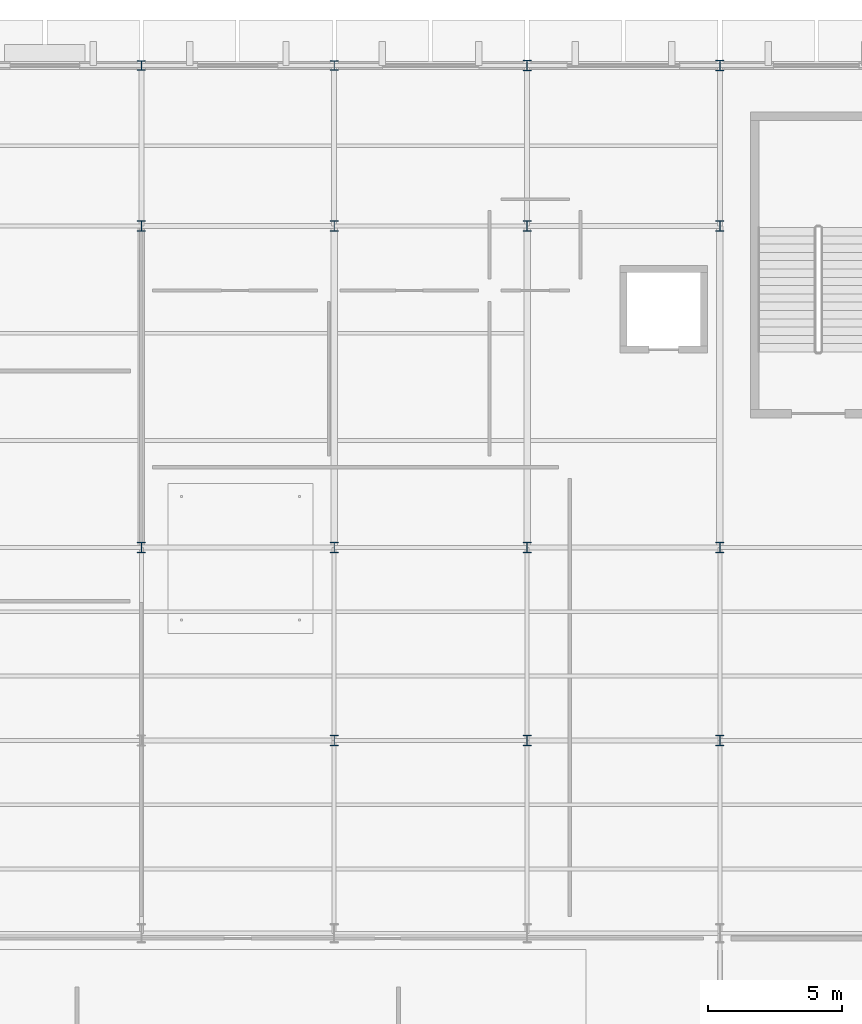
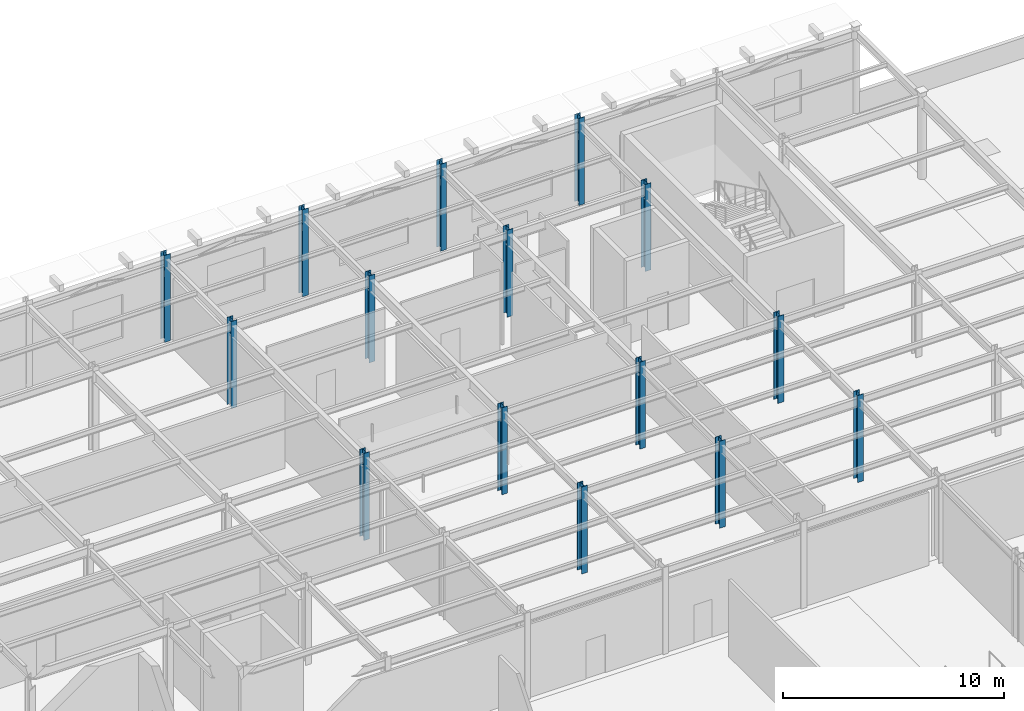
# One storey, part 11 of 126: 15 columns.
"""IFC4 building model written with IfcOpenShell, lengths in metres."""

from ifc_helpers import new_model, si_unit, direction, frame, origin, origin_2d, place, context, subcontext, project, spatial, i_section, extrude, material, material_profile, profile_set, type_object, element, save


model = new_model("IFC4")

# Units and contexts
model_context = context("Model", 3, precision=1e-05, world=origin(), true_north=direction((0.0, 1.0)))
body_context = subcontext(model_context, "Body", "Model", "MODEL_VIEW")
ifc_project = project(units=[si_unit("LENGTHUNIT", "METRE"), si_unit("AREAUNIT", "SQUARE_METRE"), si_unit("VOLUMEUNIT", "CUBIC_METRE"), si_unit("PLANEANGLEUNIT", "RADIAN"), si_unit("MASSUNIT", "GRAM", prefix="KILO")], contexts=[model_context])

# Site, building, storey
site_placement = place(None, origin())
site = spatial("IfcSite", under=ifc_project, at=site_placement, CompositionType="ELEMENT")
building_placement = place(site_placement, origin())
building = spatial("IfcBuilding", under=site, at=building_placement, Name="Solvadek Multi-Sports Hall", CompositionType="ELEMENT")
storey_placement = place(building_placement, frame((0.0, 0.0, 9.60009765625)))
storey = spatial("IfcBuildingStorey", under=building, at=storey_placement, Name="L02", CompositionType="ELEMENT", Elevation=9.60009765625)

# Columns
ifc_material = material(Name="Steel E350 (350 MPa)", Category="steel")
ifc_material_profile_1 = material_profile(ifc_material, i_section(OverallWidth=0.300048828125, OverallDepth=0.360107421875, WebThickness=0.012451171875, FlangeThickness=0.0224609375, at=origin_2d()), Name="WPB 360")
ifc_profile_set_1 = profile_set([ifc_material_profile_1], Name="Steel E350 (350 MPa)")
column_type_1 = type_object("IfcColumnType", Name="STR-COL-WPB360", PredefinedType="COLUMN", material=ifc_profile_set_1)
for number, where, z_axis, x_axis, name in (
    (1, (36.0, 110.39990234375, 0.0), (0.0, 0.0, 1.0), (1.0, 0.0, 0.0), "L02 Column C-08 #80"),
    (2, (43.199951171875, 110.39990234375, 0.0), (0.0, 0.0, 1.0), (1.0, 0.0, 0.0), "L02 Column C-08 #96"),
):
    element("IfcColumn", number, at=place(storey_placement, frame(where, z_axis=z_axis, x_axis=x_axis)), inside=storey, type_object=column_type_1, Name=name, PredefinedType="COLUMN", context=body_context, shape_type="SweptSolid", body=[
        extrude(i_section(OverallWidth=0.300048828125, OverallDepth=0.360107421875, WebThickness=0.012451171875, FlangeThickness=0.0224609375, at=origin_2d()), origin(), (0.0, 0.0, 1.0), 4.7998046875),
    ])
ifc_material_profile_2 = material_profile(ifc_material, i_section(OverallWidth=0.300048828125, OverallDepth=0.39990234375, WebThickness=0.013427734375, FlangeThickness=0.02392578125, at=origin_2d()), Name="WPB 400")
ifc_profile_set_2 = profile_set([ifc_material_profile_2], Name="Steel E350 (350 MPa)")
column_type_2 = type_object("IfcColumnType", Name="STR-COL-WPB400", PredefinedType="COLUMN", material=ifc_profile_set_2)
for number, where, z_axis, x_axis, name in (
    (3, (36.0, 92.39990234375, 0.0), (0.0, 0.0, 1.0), (1.0, 0.0, 0.0), "L02 Column C-07 #78"),
    (4, (36.0, 104.39990234375, 0.0), (0.0, 0.0, 1.0), (1.0, 0.0, 0.0), "L02 Column C-07 #79"),
    (5, (43.199951171875, 85.199951171875, 0.0), (0.0, 0.0, 1.0), (1.0, 0.0, 0.0), "L02 Column C-07 #93"),
    (6, (43.199951171875, 92.39990234375, 0.0), (0.0, 0.0, 1.0), (1.0, 0.0, 0.0), "L02 Column C-07 #94"),
    (7, (43.199951171875, 104.39990234375, 0.0), (0.0, 0.0, 1.0), (1.0, 0.0, 0.0), "L02 Column C-07 #95"),
    (8, (50.39990234375, 85.199951171875, 0.0), (0.0, 0.0, 1.0), (1.0, 0.0, 0.0), "L02 Column C-07 #109"),
    (9, (50.39990234375, 92.39990234375, 0.0), (0.0, 0.0, 1.0), (1.0, 0.0, 0.0), "L02 Column C-07 #110"),
    (10, (50.39990234375, 104.39990234375, 0.0), (0.0, 0.0, 1.0), (1.0, 0.0, 0.0), "L02 Column C-07 #111"),
    (11, (50.39990234375, 110.39990234375, 0.0), (0.0, 0.0, 1.0), (1.0, 0.0, 0.0), "L02 Column C-07 #112"),
    (12, (57.60009765625, 85.199951171875, 0.0), (0.0, 0.0, 1.0), (1.0, 0.0, 0.0), "L02 Column C-07 #125"),
    (13, (57.60009765625, 92.39990234375, 0.0), (0.0, 0.0, 1.0), (1.0, 0.0, 0.0), "L02 Column C-07 #126"),
    (14, (57.60009765625, 104.39990234375, 0.0), (0.0, 0.0, 1.0), (1.0, 0.0, 0.0), "L02 Column C-07 #127"),
    (15, (57.60009765625, 110.39990234375, 0.0), (0.0, 0.0, 1.0), (1.0, 0.0, 0.0), "L02 Column C-07 #128"),
):
    element("IfcColumn", number, at=place(storey_placement, frame(where, z_axis=z_axis, x_axis=x_axis)), inside=storey, type_object=column_type_2, Name=name, PredefinedType="COLUMN", context=body_context, shape_type="SweptSolid", body=[
        extrude(i_section(OverallWidth=0.300048828125, OverallDepth=0.39990234375, WebThickness=0.013427734375, FlangeThickness=0.02392578125, at=origin_2d()), origin(), (0.0, 0.0, 1.0), 4.7998046875),
    ])

save(model, "model.ifc")
